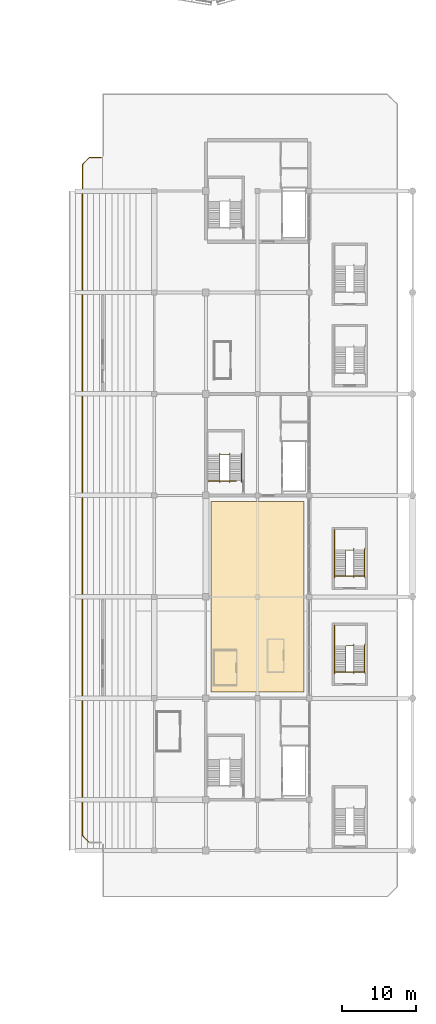
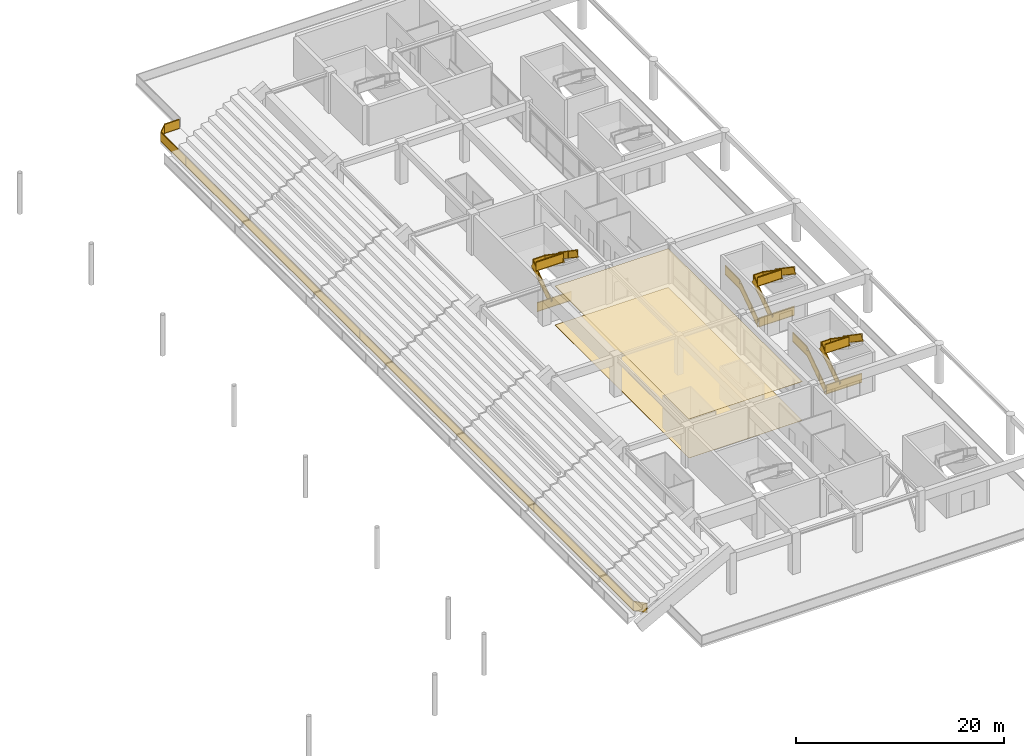
# One storey, part 87 of 94: 12 railings, 2 coverings.
"""IFC4 building model written with IfcOpenShell, lengths in metres."""

from ifc_helpers import new_model, si_unit, direction, frame, origin, origin_2d, place, context, subcontext, project, spatial, polyline, rectangle, outline, extrude, material, layer, layer_set, type_object, element, save


model = new_model("IFC4")

# Units and contexts
model_context = context("Model", 3, precision=1e-05, world=origin(), true_north=direction((0.0, 1.0)))
body_context = subcontext(model_context, "Body", "Model", "MODEL_VIEW")
ifc_project = project(units=[si_unit("LENGTHUNIT", "METRE"), si_unit("AREAUNIT", "SQUARE_METRE"), si_unit("VOLUMEUNIT", "CUBIC_METRE"), si_unit("PLANEANGLEUNIT", "RADIAN"), si_unit("MASSUNIT", "GRAM", prefix="KILO")], contexts=[model_context])

# Site, building, storey
site_placement = place(None, origin())
site = spatial("IfcSite", under=ifc_project, at=site_placement, CompositionType="ELEMENT")
building_placement = place(site_placement, origin())
building = spatial("IfcBuilding", under=site, at=building_placement, Name="Linyun Crest Stadium", CompositionType="ELEMENT")
storey_placement = place(building_placement, frame((0.0, 0.0, 16.199951171875)))
storey = spatial("IfcBuildingStorey", under=building, at=storey_placement, Name="L04", CompositionType="ELEMENT", Elevation=16.199951171875)

# Coverings
ifc_material_1 = material(Name="Perforated acoustic mineral-fibre ceiling")
ifc_layer_1 = layer(ifc_material_1, 0.02490234375)
ifc_layer_set_1 = layer_set([ifc_layer_1], Name="Perforated acoustic mineral-fibre ceiling")
covering_type_1 = type_object("IfcCoveringType", Name="CLG01", PredefinedType="CEILING", material=ifc_layer_set_1)
covering_1_placement = place(storey_placement, frame((0.0, 0.0, 4.574951171875)))
element("IfcCovering", 1, at=covering_1_placement, inside=storey, type_object=covering_type_1, Name="Suspended acoustic ceiling CLG01 44", PredefinedType="CEILING", context=body_context, shape_type="SweptSolid", body=[
    extrude(outline(polyline([(70.699951171875, -24.5), (83.300048828125, -24.5), (83.300048828125, 1.300048828125), (70.699951171875, 1.300048828125), (70.699951171875, -24.5)])), origin(), (0.0, 0.0, 1.0), 0.025146484375),
])
ifc_material_2 = material(Name="Terrazzo concourse and hospitality floor finish")
ifc_layer_2 = layer(ifc_material_2, 0.02197265625)
ifc_layer_set_2 = layer_set([ifc_layer_2], Name="Terrazzo concourse and hospitality floor finish")
covering_type_2 = type_object("IfcCoveringType", Name="FLR02", PredefinedType="FLOORING", material=ifc_layer_set_2)
covering_2_placement = place(storey_placement, origin())
element("IfcCovering", 2, at=covering_2_placement, inside=storey, type_object=covering_type_2, Name="Terrazzo flooring FLR02 43", PredefinedType="FLOORING", context=body_context, shape_type="SweptSolid", body=[
    extrude(outline(polyline([(70.699951171875, -24.5), (83.300048828125, -24.5), (83.300048828125, 1.300048828125), (70.699951171875, 1.300048828125), (70.699951171875, -24.5)])), origin(), (0.0, 0.0, 1.0), 0.02197265625),
])

# Railings
ifc_material_3 = material(Name="Verdigris painted steel botanical balustrade", Category="steel")
railing_type_1 = type_object("IfcRailingType", Name="GR01", PredefinedType="BALUSTRADE", material=ifc_material_3)
railing_1_placement = place(storey_placement, frame((54.22509765625, -44.93994140625, 0.0)))
element("IfcRailing", 3, at=railing_1_placement, inside=storey, type_object=railing_type_1, Name="Slab edge balustrade GR01 188", PredefinedType="BALUSTRADE", context=body_context, shape_type="SweptSolid", body=[
    extrude(rectangle(XDim=0.06005859375, YDim=0.06005859375, at=origin_2d()), frame((0.0, 0.0, 1.119873046875), z_axis=(-0.707196226101, 0.707017324956, 0.0), x_axis=(-0.707017324956, -0.707196226101, 0.0)), (0.0, 0.0, 1.0), 1.36474609375),
    extrude(rectangle(XDim=0.030029296875, YDim=1.02978515625, at=origin_2d()), frame((0.0, 0.0, 0.574951171875), z_axis=(-0.707196226101, 0.707017324956, 0.0), x_axis=(-0.707017324956, -0.707196226101, 0.0)), (0.0, 0.0, 1.0), 1.36474609375),
    extrude(rectangle(XDim=0.06005859375, YDim=0.06005859375, at=origin_2d()), frame((0.0, 0.0, 0.030029296875), z_axis=(-0.707196226101, 0.707017324956, 0.0), x_axis=(-0.707017324956, -0.707196226101, 0.0)), (0.0, 0.0, 1.0), 1.36474609375),
    extrude(rectangle(XDim=0.06005859375, YDim=0.06005859375, at=origin_2d()), frame((-0.965087890625, 0.96484375, 1.119873046875), z_axis=(0.0, 1.0, 0.0), x_axis=(-1.0, 0.0, 0.0)), (0.0, 0.0, 1.0), 90.9501953125),
    extrude(rectangle(XDim=0.030029296875, YDim=1.02978515625, at=origin_2d()), frame((-0.965087890625, 0.96484375, 0.574951171875), z_axis=(0.0, 1.0, 0.0), x_axis=(-1.0, 0.0, 0.0)), (0.0, 0.0, 1.0), 90.9501953125),
    extrude(rectangle(XDim=0.06005859375, YDim=0.06005859375, at=origin_2d()), frame((-0.965087890625, 0.96484375, 0.030029296875), z_axis=(0.0, 1.0, 0.0), x_axis=(-1.0, 0.0, 0.0)), (0.0, 0.0, 1.0), 90.9501953125),
    extrude(rectangle(XDim=0.06005859375, YDim=0.06005859375, at=origin_2d()), frame((-0.965087890625, 91.9150390625, 1.119873046875), z_axis=(0.707196226101, 0.707017324956, 0.0), x_axis=(-0.707017324956, 0.707196226101, 0.0)), (0.0, 0.0, 1.0), 1.36474609375),
    extrude(rectangle(XDim=0.030029296875, YDim=1.02978515625, at=origin_2d()), frame((-0.965087890625, 91.9150390625, 0.574951171875), z_axis=(0.707196226101, 0.707017324956, 0.0), x_axis=(-0.707017324956, 0.707196226101, 0.0)), (0.0, 0.0, 1.0), 1.36474609375),
    extrude(rectangle(XDim=0.06005859375, YDim=0.06005859375, at=origin_2d()), frame((-0.965087890625, 91.9150390625, 0.030029296875), z_axis=(0.707196226101, 0.707017324956, 0.0), x_axis=(-0.707017324956, 0.707196226101, 0.0)), (0.0, 0.0, 1.0), 1.36474609375),
    extrude(rectangle(XDim=0.06005859375, YDim=0.06005859375, at=origin_2d()), frame((0.0, 92.8798828125, 1.119873046875), z_axis=(1.0, 0.0, 0.0), x_axis=(0.0, 1.0, 0.0)), (0.0, 0.0, 1.0), 1.594970703125),
    extrude(rectangle(XDim=0.030029296875, YDim=1.02978515625, at=origin_2d()), frame((0.0, 92.8798828125, 0.574951171875), z_axis=(1.0, 0.0, 0.0), x_axis=(0.0, 1.0, 0.0)), (0.0, 0.0, 1.0), 1.594970703125),
    extrude(rectangle(XDim=0.06005859375, YDim=0.06005859375, at=origin_2d()), frame((0.0, 92.8798828125, 0.030029296875), z_axis=(1.0, 0.0, 0.0), x_axis=(0.0, 1.0, 0.0)), (0.0, 0.0, 1.0), 1.594970703125),
    extrude(rectangle(XDim=0.050048828125, YDim=0.050048828125, at=origin_2d()), origin(), (0.0, 0.0, 1.0), 1.14990234375),
    extrude(rectangle(XDim=0.050048828125, YDim=0.050048828125, at=origin_2d()), frame((-0.965087890625, 0.96484375, 0.0)), (0.0, 0.0, 1.0), 1.14990234375),
    extrude(rectangle(XDim=0.050048828125, YDim=0.050048828125, at=origin_2d()), frame((-0.965087890625, 5.751708984375, 0.0)), (0.0, 0.0, 1.0), 1.14990234375),
    extrude(rectangle(XDim=0.050048828125, YDim=0.050048828125, at=origin_2d()), frame((-0.965087890625, 10.53857421875, 0.0)), (0.0, 0.0, 1.0), 1.14990234375),
    extrude(rectangle(XDim=0.050048828125, YDim=0.050048828125, at=origin_2d()), frame((-0.965087890625, 15.325439453125, 0.0)), (0.0, 0.0, 1.0), 1.14990234375),
    extrude(rectangle(XDim=0.050048828125, YDim=0.050048828125, at=origin_2d()), frame((-0.965087890625, 20.1123046875, 0.0)), (0.0, 0.0, 1.0), 1.14990234375),
    extrude(rectangle(XDim=0.050048828125, YDim=0.050048828125, at=origin_2d()), frame((-0.965087890625, 24.899169921875, 0.0)), (0.0, 0.0, 1.0), 1.14990234375),
    extrude(rectangle(XDim=0.050048828125, YDim=0.050048828125, at=origin_2d()), frame((-0.965087890625, 29.68603515625, 0.0)), (0.0, 0.0, 1.0), 1.14990234375),
    extrude(rectangle(XDim=0.050048828125, YDim=0.050048828125, at=origin_2d()), frame((-0.965087890625, 34.472900390625, 0.0)), (0.0, 0.0, 1.0), 1.14990234375),
    extrude(rectangle(XDim=0.050048828125, YDim=0.050048828125, at=origin_2d()), frame((-0.965087890625, 39.259765625, 0.0)), (0.0, 0.0, 1.0), 1.14990234375),
    extrude(rectangle(XDim=0.050048828125, YDim=0.050048828125, at=origin_2d()), frame((-0.965087890625, 44.046630859375, 0.0)), (0.0, 0.0, 1.0), 1.14990234375),
    extrude(rectangle(XDim=0.050048828125, YDim=0.050048828125, at=origin_2d()), frame((-0.965087890625, 48.833251953125, 0.0)), (0.0, 0.0, 1.0), 1.14990234375),
    extrude(rectangle(XDim=0.050048828125, YDim=0.050048828125, at=origin_2d()), frame((-0.965087890625, 53.6201171875, 0.0)), (0.0, 0.0, 1.0), 1.14990234375),
    extrude(rectangle(XDim=0.050048828125, YDim=0.050048828125, at=origin_2d()), frame((-0.965087890625, 58.406982421875, 0.0)), (0.0, 0.0, 1.0), 1.14990234375),
    extrude(rectangle(XDim=0.050048828125, YDim=0.050048828125, at=origin_2d()), frame((-0.965087890625, 63.19384765625, 0.0)), (0.0, 0.0, 1.0), 1.14990234375),
    extrude(rectangle(XDim=0.050048828125, YDim=0.050048828125, at=origin_2d()), frame((-0.965087890625, 67.980712890625, 0.0)), (0.0, 0.0, 1.0), 1.14990234375),
    extrude(rectangle(XDim=0.050048828125, YDim=0.050048828125, at=origin_2d()), frame((-0.965087890625, 72.767578125, 0.0)), (0.0, 0.0, 1.0), 1.14990234375),
    extrude(rectangle(XDim=0.050048828125, YDim=0.050048828125, at=origin_2d()), frame((-0.965087890625, 77.554443359375, 0.0)), (0.0, 0.0, 1.0), 1.14990234375),
    extrude(rectangle(XDim=0.050048828125, YDim=0.050048828125, at=origin_2d()), frame((-0.965087890625, 82.34130859375, 0.0)), (0.0, 0.0, 1.0), 1.14990234375),
    extrude(rectangle(XDim=0.050048828125, YDim=0.050048828125, at=origin_2d()), frame((-0.965087890625, 87.128173828125, 0.0)), (0.0, 0.0, 1.0), 1.14990234375),
    extrude(rectangle(XDim=0.050048828125, YDim=0.050048828125, at=origin_2d()), frame((-0.965087890625, 91.9150390625, 0.0)), (0.0, 0.0, 1.0), 1.14990234375),
    extrude(rectangle(XDim=0.050048828125, YDim=0.050048828125, at=origin_2d()), frame((0.0, 92.8798828125, 0.0)), (0.0, 0.0, 1.0), 1.14990234375),
    extrude(rectangle(XDim=0.050048828125, YDim=0.050048828125, at=origin_2d()), frame((1.594970703125, 92.8798828125, 0.0)), (0.0, 0.0, 1.0), 1.14990234375),
])
ifc_material_4 = material(Name="Galvanized and powder-coated steel bowl safety barrier", Category="steel")
railing_type_2 = type_object("IfcRailingType", Name="GR02", PredefinedType="GUARDRAIL", material=ifc_material_4)
for number, where, name in (
    (4, (87.5400390625, -21.81005859375, 0.0), "Slab edge balustrade GR02 158"),
    (5, (87.5400390625, -8.81005859375, 0.0), "Slab edge balustrade GR02 162"),
):
    element("IfcRailing", number, at=place(storey_placement, frame(where)), inside=storey, type_object=railing_type_2, Name=name, PredefinedType="GUARDRAIL", context=body_context, shape_type="SweptSolid", body=[
        extrude(rectangle(XDim=0.06005859375, YDim=0.06005859375, at=origin_2d()), frame((0.0, 0.0, 1.090087890625), z_axis=(1.0, 0.0, 0.0), x_axis=(0.0, 1.0, 0.0)), (0.0, 0.0, 1.0), 3.919921875),
        extrude(rectangle(XDim=0.030029296875, YDim=1.0, at=origin_2d()), frame((0.0, 0.0, 0.56005859375), z_axis=(1.0, 0.0, 0.0), x_axis=(0.0, 1.0, 0.0)), (0.0, 0.0, 1.0), 3.919921875),
        extrude(rectangle(XDim=0.06005859375, YDim=0.06005859375, at=origin_2d()), frame((0.0, 0.0, 0.030029296875), z_axis=(1.0, 0.0, 0.0), x_axis=(0.0, 1.0, 0.0)), (0.0, 0.0, 1.0), 3.919921875),
        extrude(rectangle(XDim=0.050048828125, YDim=0.050048828125, at=origin_2d()), origin(), (0.0, 0.0, 1.0), 1.1201171875),
        extrude(rectangle(XDim=0.050048828125, YDim=0.050048828125, at=origin_2d()), frame((3.919921875, 0.0, 0.0)), (0.0, 0.0, 1.0), 1.1201171875),
    ])
railing_2_placement = place(storey_placement, frame((70.340087890625, 4.0849609375, 0.0)))
element("IfcRailing", 6, at=railing_2_placement, inside=storey, type_object=railing_type_2, Name="Slab edge balustrade GR02 167", PredefinedType="GUARDRAIL", context=body_context, shape_type="SweptSolid", body=[
    extrude(rectangle(XDim=0.06005859375, YDim=0.06005859375, at=origin_2d()), frame((0.0, 0.0, 1.090087890625), z_axis=(1.0, 0.0, 0.0), x_axis=(0.0, 1.0, 0.0)), (0.0, 0.0, 1.0), 3.760009765625),
    extrude(rectangle(XDim=0.030029296875, YDim=1.0, at=origin_2d()), frame((0.0, 0.0, 0.56005859375), z_axis=(1.0, 0.0, 0.0), x_axis=(0.0, 1.0, 0.0)), (0.0, 0.0, 1.0), 3.760009765625),
    extrude(rectangle(XDim=0.06005859375, YDim=0.06005859375, at=origin_2d()), frame((0.0, 0.0, 0.030029296875), z_axis=(1.0, 0.0, 0.0), x_axis=(0.0, 1.0, 0.0)), (0.0, 0.0, 1.0), 3.760009765625),
    extrude(rectangle(XDim=0.050048828125, YDim=0.050048828125, at=origin_2d()), origin(), (0.0, 0.0, 1.0), 1.1201171875),
    extrude(rectangle(XDim=0.050048828125, YDim=0.050048828125, at=origin_2d()), frame((3.760009765625, 0.0, 0.0)), (0.0, 0.0, 1.0), 1.1201171875),
])
ifc_material_5 = material(Name="Painted steel stairwell safety guard", Category="steel")
railing_type_3 = type_object("IfcRailingType", Name="GR03", PredefinedType="GUARDRAIL", material=ifc_material_5)
railing_3_placement = place(storey_placement, frame((71.8701171875, 4.094970703125, 0.0)))
element("IfcRailing", 7, at=railing_3_placement, inside=storey, type_object=railing_type_3, Name="STR-05-L04 inner well guard", PredefinedType="GUARDRAIL", context=body_context, shape_type="SweptSolid", body=[
    extrude(rectangle(XDim=0.06005859375, YDim=0.06005859375, at=origin_2d()), frame((0.0, 0.0, 1.090087890625), z_axis=(0.0, 0.826212794201, 0.563358162005), x_axis=(-1.0, 0.0, 0.0)), (0.0, 0.0, 1.0), 4.260498046875),
    extrude(rectangle(XDim=0.030029296875, YDim=1.0, at=origin_2d()), frame((0.0, 0.0, 0.56005859375), z_axis=(0.0, 0.826212794201, 0.563358162005), x_axis=(-1.0, 0.0, 0.0)), (0.0, 0.0, 1.0), 4.260498046875),
    extrude(rectangle(XDim=0.06005859375, YDim=0.06005859375, at=origin_2d()), frame((0.0, 0.0, 0.030029296875), z_axis=(0.0, 0.826212794201, 0.563358162005), x_axis=(-1.0, 0.0, 0.0)), (0.0, 0.0, 1.0), 4.260498046875),
    extrude(rectangle(XDim=0.06005859375, YDim=0.06005859375, at=origin_2d()), frame((0.0, 3.52001953125, 3.490234375), z_axis=(1.0, 0.0, 0.0), x_axis=(0.0, 1.0, 0.0)), (0.0, 0.0, 1.0), 1.35986328125),
    extrude(rectangle(XDim=0.030029296875, YDim=1.0, at=origin_2d()), frame((0.0, 3.52001953125, 2.960205078125), z_axis=(1.0, 0.0, 0.0), x_axis=(0.0, 1.0, 0.0)), (0.0, 0.0, 1.0), 1.35986328125),
    extrude(rectangle(XDim=0.06005859375, YDim=0.06005859375, at=origin_2d()), frame((0.0, 3.52001953125, 2.43017578125), z_axis=(1.0, 0.0, 0.0), x_axis=(0.0, 1.0, 0.0)), (0.0, 0.0, 1.0), 1.35986328125),
    extrude(rectangle(XDim=0.06005859375, YDim=0.06005859375, at=origin_2d()), frame((1.35986328125, 3.52001953125, 3.490234375), z_axis=(0.0, -0.826239466617, 0.563319042644), x_axis=(1.0, 0.0, 0.0)), (0.0, 0.0, 1.0), 4.26025390625),
    extrude(rectangle(XDim=0.030029296875, YDim=1.0, at=origin_2d()), frame((1.35986328125, 3.52001953125, 2.960205078125), z_axis=(0.0, -0.826239466617, 0.563319042644), x_axis=(1.0, 0.0, 0.0)), (0.0, 0.0, 1.0), 4.26025390625),
    extrude(rectangle(XDim=0.06005859375, YDim=0.06005859375, at=origin_2d()), frame((1.35986328125, 3.52001953125, 2.43017578125), z_axis=(0.0, -0.826239466617, 0.563319042644), x_axis=(1.0, 0.0, 0.0)), (0.0, 0.0, 1.0), 4.26025390625),
    extrude(rectangle(XDim=0.06005859375, YDim=0.06005859375, at=origin_2d()), frame((1.35986328125, 0.0, 5.89013671875), z_axis=(-1.0, 0.0, 0.0), x_axis=(0.0, -1.0, 0.0)), (0.0, 0.0, 1.0), 3.010009765625),
    extrude(rectangle(XDim=0.030029296875, YDim=1.0, at=origin_2d()), frame((1.35986328125, 0.0, 5.360107421875), z_axis=(-1.0, 0.0, 0.0), x_axis=(0.0, -1.0, 0.0)), (0.0, 0.0, 1.0), 3.010009765625),
    extrude(rectangle(XDim=0.06005859375, YDim=0.06005859375, at=origin_2d()), frame((1.35986328125, 0.0, 4.830078125), z_axis=(-1.0, 0.0, 0.0), x_axis=(0.0, -1.0, 0.0)), (0.0, 0.0, 1.0), 3.010009765625),
    extrude(rectangle(XDim=0.050048828125, YDim=0.050048828125, at=origin_2d()), origin(), (0.0, 0.0, 1.0), 1.1201171875),
    extrude(rectangle(XDim=0.050048828125, YDim=0.050048828125, at=origin_2d()), frame((0.0, 1.17333984375, 0.800048828125)), (0.0, 0.0, 1.0), 1.1201171875),
    extrude(rectangle(XDim=0.050048828125, YDim=0.050048828125, at=origin_2d()), frame((0.0, 2.3466796875, 1.60009765625)), (0.0, 0.0, 1.0), 1.1201171875),
    extrude(rectangle(XDim=0.050048828125, YDim=0.050048828125, at=origin_2d()), frame((0.0, 3.52001953125, 2.400146484375)), (0.0, 0.0, 1.0), 1.1201171875),
    extrude(rectangle(XDim=0.050048828125, YDim=0.050048828125, at=origin_2d()), frame((1.35986328125, 3.52001953125, 2.400146484375)), (0.0, 0.0, 1.0), 1.1201171875),
    extrude(rectangle(XDim=0.050048828125, YDim=0.050048828125, at=origin_2d()), frame((1.35986328125, 2.3466796875, 3.2001953125)), (0.0, 0.0, 1.0), 1.1201171875),
    extrude(rectangle(XDim=0.050048828125, YDim=0.050048828125, at=origin_2d()), frame((1.35986328125, 1.17333984375, 4.0)), (0.0, 0.0, 1.0), 1.1201171875),
    extrude(rectangle(XDim=0.050048828125, YDim=0.050048828125, at=origin_2d()), frame((1.35986328125, 0.0, 4.800048828125)), (0.0, 0.0, 1.0), 1.1201171875),
    extrude(rectangle(XDim=0.050048828125, YDim=0.050048828125, at=origin_2d()), frame((-0.14501953125, 0.0, 4.800048828125)), (0.0, 0.0, 1.0), 1.1201171875),
    extrude(rectangle(XDim=0.050048828125, YDim=0.050048828125, at=origin_2d()), frame((-1.650146484375, 0.0, 4.800048828125)), (0.0, 0.0, 1.0), 1.1201171875),
])
railing_4_placement = place(storey_placement, frame((87.429931640625, -21.780029296875, 0.0)))
element("IfcRailing", 8, at=railing_4_placement, inside=storey, type_object=railing_type_3, Name="STR-19-L04 outer guard", PredefinedType="GUARDRAIL", context=body_context, shape_type="SweptSolid", body=[
    extrude(rectangle(XDim=0.06005859375, YDim=0.06005859375, at=origin_2d()), frame((0.0, 0.0, 1.090087890625), z_axis=(0.0, 0.824712752785, 0.565551832633), x_axis=(-1.0, 0.0, 0.0)), (0.0, 0.0, 1.0), 4.243896484375),
    extrude(rectangle(XDim=0.030029296875, YDim=1.0, at=origin_2d()), frame((0.0, 0.0, 0.56005859375), z_axis=(0.0, 0.824712752785, 0.565551832633), x_axis=(-1.0, 0.0, 0.0)), (0.0, 0.0, 1.0), 4.243896484375),
    extrude(rectangle(XDim=0.06005859375, YDim=0.06005859375, at=origin_2d()), frame((0.0, 0.0, 0.030029296875), z_axis=(0.0, 0.824712752785, 0.565551832633), x_axis=(-1.0, 0.0, 0.0)), (0.0, 0.0, 1.0), 4.243896484375),
    extrude(rectangle(XDim=0.06005859375, YDim=0.06005859375, at=origin_2d()), frame((0.0, 3.5, 3.490234375), z_axis=(0.0, 1.0, 0.0), x_axis=(-1.0, 0.0, 0.0)), (0.0, 0.0, 1.0), 2.75),
    extrude(rectangle(XDim=0.030029296875, YDim=1.0, at=origin_2d()), frame((0.0, 3.5, 2.960205078125), z_axis=(0.0, 1.0, 0.0), x_axis=(-1.0, 0.0, 0.0)), (0.0, 0.0, 1.0), 2.75),
    extrude(rectangle(XDim=0.06005859375, YDim=0.06005859375, at=origin_2d()), frame((0.0, 3.5, 2.43017578125), z_axis=(0.0, 1.0, 0.0), x_axis=(-1.0, 0.0, 0.0)), (0.0, 0.0, 1.0), 2.75),
    extrude(rectangle(XDim=0.050048828125, YDim=0.050048828125, at=origin_2d()), origin(), (0.0, 0.0, 1.0), 1.1201171875),
    extrude(rectangle(XDim=0.050048828125, YDim=0.050048828125, at=origin_2d()), frame((0.0, 1.166748046875, 0.800048828125)), (0.0, 0.0, 1.0), 1.1201171875),
    extrude(rectangle(XDim=0.050048828125, YDim=0.050048828125, at=origin_2d()), frame((0.0, 2.333251953125, 1.60009765625)), (0.0, 0.0, 1.0), 1.1201171875),
    extrude(rectangle(XDim=0.050048828125, YDim=0.050048828125, at=origin_2d()), frame((0.0, 3.5, 2.400146484375)), (0.0, 0.0, 1.0), 1.1201171875),
    extrude(rectangle(XDim=0.050048828125, YDim=0.050048828125, at=origin_2d()), frame((0.0, 4.875, 2.400146484375)), (0.0, 0.0, 1.0), 1.1201171875),
    extrude(rectangle(XDim=0.050048828125, YDim=0.050048828125, at=origin_2d()), frame((0.0, 6.25, 2.400146484375)), (0.0, 0.0, 1.0), 1.1201171875),
])
railing_5_placement = place(storey_placement, frame((88.969970703125, -21.800048828125, 0.0)))
element("IfcRailing", 9, at=railing_5_placement, inside=storey, type_object=railing_type_3, Name="STR-19-L04 inner well guard", PredefinedType="GUARDRAIL", context=body_context, shape_type="SweptSolid", body=[
    extrude(rectangle(XDim=0.06005859375, YDim=0.06005859375, at=origin_2d()), frame((0.0, 0.0, 1.090087890625), z_axis=(0.0, 0.826212794201, 0.563358162005), x_axis=(-1.0, 0.0, 0.0)), (0.0, 0.0, 1.0), 4.260498046875),
    extrude(rectangle(XDim=0.030029296875, YDim=1.0, at=origin_2d()), frame((0.0, 0.0, 0.56005859375), z_axis=(0.0, 0.826212794201, 0.563358162005), x_axis=(-1.0, 0.0, 0.0)), (0.0, 0.0, 1.0), 4.260498046875),
    extrude(rectangle(XDim=0.06005859375, YDim=0.06005859375, at=origin_2d()), frame((0.0, 0.0, 0.030029296875), z_axis=(0.0, 0.826212794201, 0.563358162005), x_axis=(-1.0, 0.0, 0.0)), (0.0, 0.0, 1.0), 4.260498046875),
    extrude(rectangle(XDim=0.06005859375, YDim=0.06005859375, at=origin_2d()), frame((0.0, 3.52001953125, 3.490234375), z_axis=(1.0, 0.0, 0.0), x_axis=(0.0, 1.0, 0.0)), (0.0, 0.0, 1.0), 1.06005859375),
    extrude(rectangle(XDim=0.030029296875, YDim=1.0, at=origin_2d()), frame((0.0, 3.52001953125, 2.960205078125), z_axis=(1.0, 0.0, 0.0), x_axis=(0.0, 1.0, 0.0)), (0.0, 0.0, 1.0), 1.06005859375),
    extrude(rectangle(XDim=0.06005859375, YDim=0.06005859375, at=origin_2d()), frame((0.0, 3.52001953125, 2.43017578125), z_axis=(1.0, 0.0, 0.0), x_axis=(0.0, 1.0, 0.0)), (0.0, 0.0, 1.0), 1.06005859375),
    extrude(rectangle(XDim=0.06005859375, YDim=0.06005859375, at=origin_2d()), frame((1.06005859375, 3.52001953125, 3.490234375), z_axis=(0.0, -0.826239466617, 0.563319042644), x_axis=(1.0, 0.0, 0.0)), (0.0, 0.0, 1.0), 4.26025390625),
    extrude(rectangle(XDim=0.030029296875, YDim=1.0, at=origin_2d()), frame((1.06005859375, 3.52001953125, 2.960205078125), z_axis=(0.0, -0.826239466617, 0.563319042644), x_axis=(1.0, 0.0, 0.0)), (0.0, 0.0, 1.0), 4.26025390625),
    extrude(rectangle(XDim=0.06005859375, YDim=0.06005859375, at=origin_2d()), frame((1.06005859375, 3.52001953125, 2.43017578125), z_axis=(0.0, -0.826239466617, 0.563319042644), x_axis=(1.0, 0.0, 0.0)), (0.0, 0.0, 1.0), 4.26025390625),
    extrude(rectangle(XDim=0.06005859375, YDim=0.06005859375, at=origin_2d()), frame((1.06005859375, 0.0, 5.89013671875), z_axis=(-1.0, 0.0, 0.0), x_axis=(0.0, -1.0, 0.0)), (0.0, 0.0, 1.0), 2.610107421875),
    extrude(rectangle(XDim=0.030029296875, YDim=1.0, at=origin_2d()), frame((1.06005859375, 0.0, 5.360107421875), z_axis=(-1.0, 0.0, 0.0), x_axis=(0.0, -1.0, 0.0)), (0.0, 0.0, 1.0), 2.610107421875),
    extrude(rectangle(XDim=0.06005859375, YDim=0.06005859375, at=origin_2d()), frame((1.06005859375, 0.0, 4.830078125), z_axis=(-1.0, 0.0, 0.0), x_axis=(0.0, -1.0, 0.0)), (0.0, 0.0, 1.0), 2.610107421875),
    extrude(rectangle(XDim=0.050048828125, YDim=0.050048828125, at=origin_2d()), origin(), (0.0, 0.0, 1.0), 1.1201171875),
    extrude(rectangle(XDim=0.050048828125, YDim=0.050048828125, at=origin_2d()), frame((0.0, 1.17333984375, 0.800048828125)), (0.0, 0.0, 1.0), 1.1201171875),
    extrude(rectangle(XDim=0.050048828125, YDim=0.050048828125, at=origin_2d()), frame((0.0, 2.3466796875, 1.60009765625)), (0.0, 0.0, 1.0), 1.1201171875),
    extrude(rectangle(XDim=0.050048828125, YDim=0.050048828125, at=origin_2d()), frame((0.0, 3.52001953125, 2.400146484375)), (0.0, 0.0, 1.0), 1.1201171875),
    extrude(rectangle(XDim=0.050048828125, YDim=0.050048828125, at=origin_2d()), frame((1.06005859375, 3.52001953125, 2.400146484375)), (0.0, 0.0, 1.0), 1.1201171875),
    extrude(rectangle(XDim=0.050048828125, YDim=0.050048828125, at=origin_2d()), frame((1.06005859375, 2.3466796875, 3.2001953125)), (0.0, 0.0, 1.0), 1.1201171875),
    extrude(rectangle(XDim=0.050048828125, YDim=0.050048828125, at=origin_2d()), frame((1.06005859375, 1.17333984375, 4.0)), (0.0, 0.0, 1.0), 1.1201171875),
    extrude(rectangle(XDim=0.050048828125, YDim=0.050048828125, at=origin_2d()), frame((1.06005859375, 0.0, 4.800048828125)), (0.0, 0.0, 1.0), 1.1201171875),
    extrude(rectangle(XDim=0.050048828125, YDim=0.050048828125, at=origin_2d()), frame((-0.2451171875, 0.0, 4.800048828125)), (0.0, 0.0, 1.0), 1.1201171875),
    extrude(rectangle(XDim=0.050048828125, YDim=0.050048828125, at=origin_2d()), frame((-1.550048828125, 0.0, 4.800048828125)), (0.0, 0.0, 1.0), 1.1201171875),
])
railing_6_placement = place(storey_placement, frame((87.429931640625, -8.780029296875, 0.0)))
element("IfcRailing", 10, at=railing_6_placement, inside=storey, type_object=railing_type_3, Name="STR-20-L04 outer guard", PredefinedType="GUARDRAIL", context=body_context, shape_type="SweptSolid", body=[
    extrude(rectangle(XDim=0.06005859375, YDim=0.06005859375, at=origin_2d()), frame((0.0, 0.0, 1.090087890625), z_axis=(0.0, 0.824712752785, 0.565551832633), x_axis=(-1.0, 0.0, 0.0)), (0.0, 0.0, 1.0), 4.243896484375),
    extrude(rectangle(XDim=0.030029296875, YDim=1.0, at=origin_2d()), frame((0.0, 0.0, 0.56005859375), z_axis=(0.0, 0.824712752785, 0.565551832633), x_axis=(-1.0, 0.0, 0.0)), (0.0, 0.0, 1.0), 4.243896484375),
    extrude(rectangle(XDim=0.06005859375, YDim=0.06005859375, at=origin_2d()), frame((0.0, 0.0, 0.030029296875), z_axis=(0.0, 0.824712752785, 0.565551832633), x_axis=(-1.0, 0.0, 0.0)), (0.0, 0.0, 1.0), 4.243896484375),
    extrude(rectangle(XDim=0.06005859375, YDim=0.06005859375, at=origin_2d()), frame((0.0, 3.5, 3.490234375), z_axis=(0.0, 1.0, 0.0), x_axis=(-1.0, 0.0, 0.0)), (0.0, 0.0, 1.0), 2.75),
    extrude(rectangle(XDim=0.030029296875, YDim=1.0, at=origin_2d()), frame((0.0, 3.5, 2.960205078125), z_axis=(0.0, 1.0, 0.0), x_axis=(-1.0, 0.0, 0.0)), (0.0, 0.0, 1.0), 2.75),
    extrude(rectangle(XDim=0.06005859375, YDim=0.06005859375, at=origin_2d()), frame((0.0, 3.5, 2.43017578125), z_axis=(0.0, 1.0, 0.0), x_axis=(-1.0, 0.0, 0.0)), (0.0, 0.0, 1.0), 2.75),
    extrude(rectangle(XDim=0.050048828125, YDim=0.050048828125, at=origin_2d()), origin(), (0.0, 0.0, 1.0), 1.1201171875),
    extrude(rectangle(XDim=0.050048828125, YDim=0.050048828125, at=origin_2d()), frame((0.0, 1.166748046875, 0.800048828125)), (0.0, 0.0, 1.0), 1.1201171875),
    extrude(rectangle(XDim=0.050048828125, YDim=0.050048828125, at=origin_2d()), frame((0.0, 2.333251953125, 1.60009765625)), (0.0, 0.0, 1.0), 1.1201171875),
    extrude(rectangle(XDim=0.050048828125, YDim=0.050048828125, at=origin_2d()), frame((0.0, 3.5, 2.400146484375)), (0.0, 0.0, 1.0), 1.1201171875),
    extrude(rectangle(XDim=0.050048828125, YDim=0.050048828125, at=origin_2d()), frame((0.0, 4.875, 2.400146484375)), (0.0, 0.0, 1.0), 1.1201171875),
    extrude(rectangle(XDim=0.050048828125, YDim=0.050048828125, at=origin_2d()), frame((0.0, 6.25, 2.400146484375)), (0.0, 0.0, 1.0), 1.1201171875),
])
railing_7_placement = place(storey_placement, frame((88.969970703125, -8.800048828125, 0.0)))
element("IfcRailing", 11, at=railing_7_placement, inside=storey, type_object=railing_type_3, Name="STR-20-L04 inner well guard", PredefinedType="GUARDRAIL", context=body_context, shape_type="SweptSolid", body=[
    extrude(rectangle(XDim=0.06005859375, YDim=0.06005859375, at=origin_2d()), frame((0.0, 0.0, 1.090087890625), z_axis=(0.0, 0.826212794201, 0.563358162005), x_axis=(-1.0, 0.0, 0.0)), (0.0, 0.0, 1.0), 4.260498046875),
    extrude(rectangle(XDim=0.030029296875, YDim=1.0, at=origin_2d()), frame((0.0, 0.0, 0.56005859375), z_axis=(0.0, 0.826212794201, 0.563358162005), x_axis=(-1.0, 0.0, 0.0)), (0.0, 0.0, 1.0), 4.260498046875),
    extrude(rectangle(XDim=0.06005859375, YDim=0.06005859375, at=origin_2d()), frame((0.0, 0.0, 0.030029296875), z_axis=(0.0, 0.826212794201, 0.563358162005), x_axis=(-1.0, 0.0, 0.0)), (0.0, 0.0, 1.0), 4.260498046875),
    extrude(rectangle(XDim=0.06005859375, YDim=0.06005859375, at=origin_2d()), frame((0.0, 3.52001953125, 3.490234375), z_axis=(1.0, 0.0, 0.0), x_axis=(0.0, 1.0, 0.0)), (0.0, 0.0, 1.0), 1.06005859375),
    extrude(rectangle(XDim=0.030029296875, YDim=1.0, at=origin_2d()), frame((0.0, 3.52001953125, 2.960205078125), z_axis=(1.0, 0.0, 0.0), x_axis=(0.0, 1.0, 0.0)), (0.0, 0.0, 1.0), 1.06005859375),
    extrude(rectangle(XDim=0.06005859375, YDim=0.06005859375, at=origin_2d()), frame((0.0, 3.52001953125, 2.43017578125), z_axis=(1.0, 0.0, 0.0), x_axis=(0.0, 1.0, 0.0)), (0.0, 0.0, 1.0), 1.06005859375),
    extrude(rectangle(XDim=0.06005859375, YDim=0.06005859375, at=origin_2d()), frame((1.06005859375, 3.52001953125, 3.490234375), z_axis=(0.0, -0.826239466617, 0.563319042644), x_axis=(1.0, 0.0, 0.0)), (0.0, 0.0, 1.0), 4.26025390625),
    extrude(rectangle(XDim=0.030029296875, YDim=1.0, at=origin_2d()), frame((1.06005859375, 3.52001953125, 2.960205078125), z_axis=(0.0, -0.826239466617, 0.563319042644), x_axis=(1.0, 0.0, 0.0)), (0.0, 0.0, 1.0), 4.26025390625),
    extrude(rectangle(XDim=0.06005859375, YDim=0.06005859375, at=origin_2d()), frame((1.06005859375, 3.52001953125, 2.43017578125), z_axis=(0.0, -0.826239466617, 0.563319042644), x_axis=(1.0, 0.0, 0.0)), (0.0, 0.0, 1.0), 4.26025390625),
    extrude(rectangle(XDim=0.06005859375, YDim=0.06005859375, at=origin_2d()), frame((1.06005859375, 0.0, 5.89013671875), z_axis=(-1.0, 0.0, 0.0), x_axis=(0.0, -1.0, 0.0)), (0.0, 0.0, 1.0), 2.610107421875),
    extrude(rectangle(XDim=0.030029296875, YDim=1.0, at=origin_2d()), frame((1.06005859375, 0.0, 5.360107421875), z_axis=(-1.0, 0.0, 0.0), x_axis=(0.0, -1.0, 0.0)), (0.0, 0.0, 1.0), 2.610107421875),
    extrude(rectangle(XDim=0.06005859375, YDim=0.06005859375, at=origin_2d()), frame((1.06005859375, 0.0, 4.830078125), z_axis=(-1.0, 0.0, 0.0), x_axis=(0.0, -1.0, 0.0)), (0.0, 0.0, 1.0), 2.610107421875),
    extrude(rectangle(XDim=0.050048828125, YDim=0.050048828125, at=origin_2d()), origin(), (0.0, 0.0, 1.0), 1.1201171875),
    extrude(rectangle(XDim=0.050048828125, YDim=0.050048828125, at=origin_2d()), frame((0.0, 1.17333984375, 0.800048828125)), (0.0, 0.0, 1.0), 1.1201171875),
    extrude(rectangle(XDim=0.050048828125, YDim=0.050048828125, at=origin_2d()), frame((0.0, 2.3466796875, 1.60009765625)), (0.0, 0.0, 1.0), 1.1201171875),
    extrude(rectangle(XDim=0.050048828125, YDim=0.050048828125, at=origin_2d()), frame((0.0, 3.52001953125, 2.400146484375)), (0.0, 0.0, 1.0), 1.1201171875),
    extrude(rectangle(XDim=0.050048828125, YDim=0.050048828125, at=origin_2d()), frame((1.06005859375, 3.52001953125, 2.400146484375)), (0.0, 0.0, 1.0), 1.1201171875),
    extrude(rectangle(XDim=0.050048828125, YDim=0.050048828125, at=origin_2d()), frame((1.06005859375, 2.3466796875, 3.2001953125)), (0.0, 0.0, 1.0), 1.1201171875),
    extrude(rectangle(XDim=0.050048828125, YDim=0.050048828125, at=origin_2d()), frame((1.06005859375, 1.17333984375, 4.0)), (0.0, 0.0, 1.0), 1.1201171875),
    extrude(rectangle(XDim=0.050048828125, YDim=0.050048828125, at=origin_2d()), frame((1.06005859375, 0.0, 4.800048828125)), (0.0, 0.0, 1.0), 1.1201171875),
    extrude(rectangle(XDim=0.050048828125, YDim=0.050048828125, at=origin_2d()), frame((-0.2451171875, 0.0, 4.800048828125)), (0.0, 0.0, 1.0), 1.1201171875),
    extrude(rectangle(XDim=0.050048828125, YDim=0.050048828125, at=origin_2d()), frame((-1.550048828125, 0.0, 4.800048828125)), (0.0, 0.0, 1.0), 1.1201171875),
])
ifc_material_6 = material(Name="Brushed stainless steel tubular handrail", Category="steel")
railing_type_4 = type_object("IfcRailingType", Name="HR01", PredefinedType="HANDRAIL", material=ifc_material_6)
for number, where, name in (
    (12, (74.820068359375, 7.614990234375, 2.400146484375), "STR-05-L04 handrail"),
    (13, (91.52001953125, -18.280029296875, 2.400146484375), "STR-19-L04 handrail"),
    (14, (91.52001953125, -5.280029296875, 2.400146484375), "STR-20-L04 handrail"),
):
    element("IfcRailing", number, at=place(storey_placement, frame(where)), inside=storey, type_object=railing_type_4, Name=name, PredefinedType="HANDRAIL", context=body_context, shape_type="SweptSolid", body=[
        extrude(rectangle(XDim=0.06005859375, YDim=0.06005859375, at=origin_2d()), frame((0.0, 0.0, 0.889892578125), z_axis=(0.0, -0.824739584531, 0.5655127034), x_axis=(1.0, 0.0, 0.0)), (0.0, 0.0, 1.0), 4.24365234375),
        extrude(rectangle(XDim=0.030029296875, YDim=0.7998046875, at=origin_2d()), frame((0.0, 0.0, 0.4599609375), z_axis=(0.0, -0.824739584531, 0.5655127034), x_axis=(1.0, 0.0, 0.0)), (0.0, 0.0, 1.0), 4.24365234375),
        extrude(rectangle(XDim=0.06005859375, YDim=0.06005859375, at=origin_2d()), frame((0.0, 0.0, 0.030029296875), z_axis=(0.0, -0.824739584531, 0.5655127034), x_axis=(1.0, 0.0, 0.0)), (0.0, 0.0, 1.0), 4.24365234375),
        extrude(rectangle(XDim=0.050048828125, YDim=0.050048828125, at=origin_2d()), origin(), (0.0, 0.0, 1.0), 0.919921875),
        extrude(rectangle(XDim=0.050048828125, YDim=0.050048828125, at=origin_2d()), frame((0.0, -1.75, 1.199951171875)), (0.0, 0.0, 1.0), 0.919921875),
        extrude(rectangle(XDim=0.050048828125, YDim=0.050048828125, at=origin_2d()), frame((0.0, -3.5, 2.39990234375)), (0.0, 0.0, 1.0), 0.919921875),
    ])

save(model, "model.ifc")
